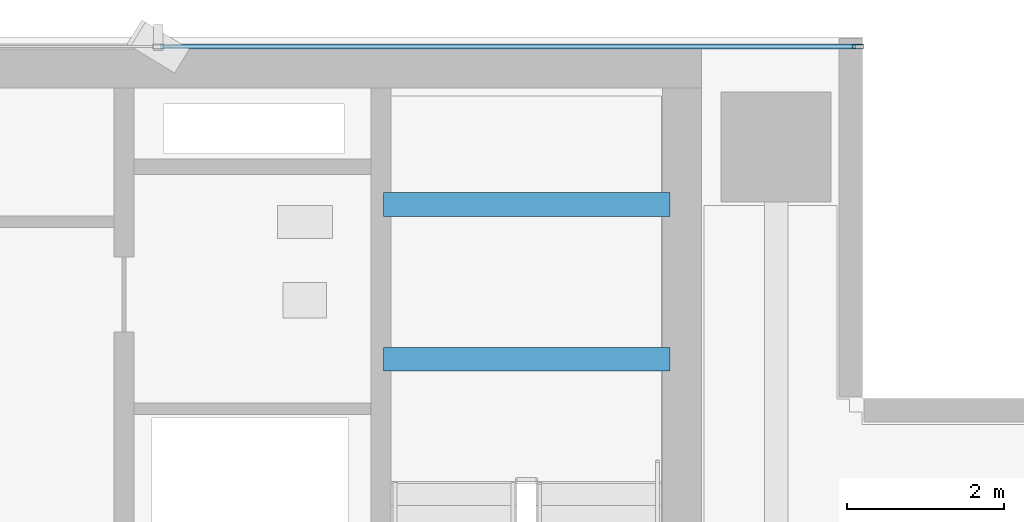
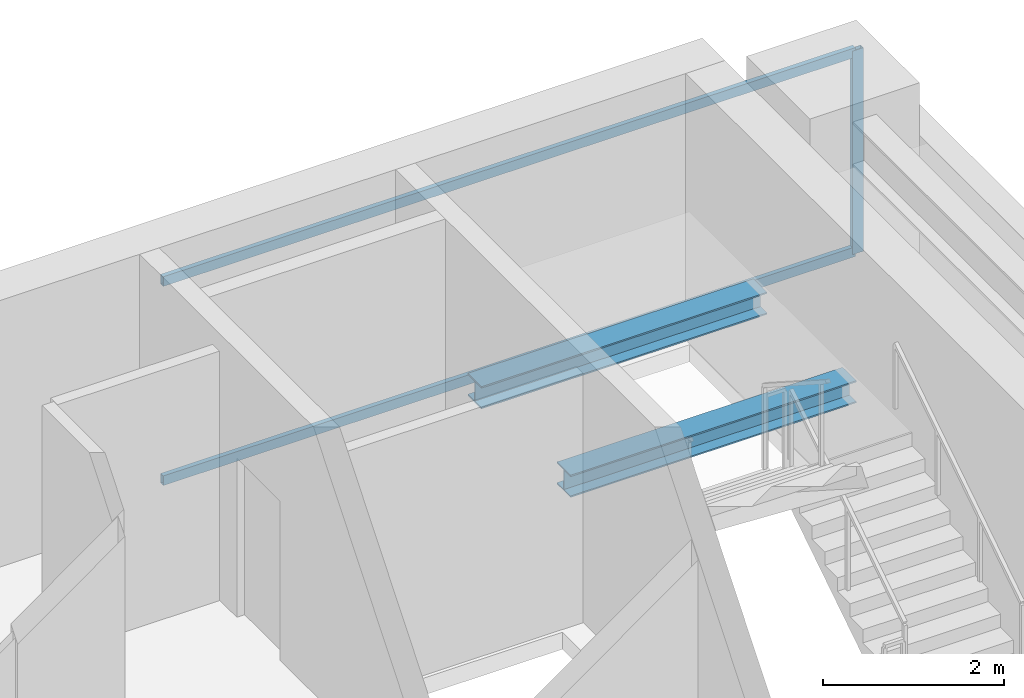
# One storey, part 18 of 27: 3 members, 2 beams, 1 element without a shape of its own.
"""IFC4 building model written with IfcOpenShell, lengths in metres."""

import ifcopenshell
import ifcopenshell.guid

model = None  # the IFC model being written
_history = None  # IfcOwnerHistory: only IFC2X3 demands one
_inside = {}  # id of a spatial element -> (the spatial element, [elements in it])
_under = {}  # id of a project, library or spatial element -> (it, [spatial elements below it])
_declared = {}  # id of a project -> (the project, [libraries it declares])
_typed = {}  # id of a type object -> (the type object, [elements of that type])
_made_of = {}  # id of a material, layer set ... -> (it, [elements and type objects made of it])


def new_model(schema):
    """Start an empty IFC model of exactly this schema.

    Asked for "IFC4X3", IfcOpenShell would pick the latest addendum, in which some entities
    have other attributes; the version numbers below select the first issue.
    IFC2X3 requires an IfcOwnerHistory on every rooted entity: one is made here for all.
    """
    global model, _history
    if schema == "IFC4X3":
        model = ifcopenshell.file(schema_version=(4, 3, 0, 0))
    else:
        model = ifcopenshell.file(schema=schema)
    _inside.clear()
    _under.clear()
    _declared.clear()
    _typed.clear()
    _made_of.clear()
    _history = None
    if model.schema == "IFC2X3":
        org = make("IfcOrganization", Name="unknown")
        user = make(
            "IfcPersonAndOrganization",
            ThePerson=make("IfcPerson", FamilyName="unknown"),
            TheOrganization=org,
        )
        app = make(
            "IfcApplication",
            ApplicationDeveloper=org,
            Version="unknown",
            ApplicationFullName="unknown",
            ApplicationIdentifier="unknown",
        )
        _history = make(
            "IfcOwnerHistory",
            OwningUser=user,
            OwningApplication=app,
            ChangeAction="ADDED",
            CreationDate=0,
        )
    return model


def make(cls, **values):
    """One entity of the class cls with the attributes given. An attribute that is None is left unset."""
    return model.create_entity(
        cls, **{name: value for name, value in values.items() if value is not None}
    )


def rooted(cls, **values):
    """An entity with a GlobalId (a new one), such as an element, a storey or a relation."""
    return make(cls, GlobalId=ifcopenshell.guid.new(), OwnerHistory=_history, **values)


def si_unit(unit_type, name, prefix=None):
    """IfcSIUnit, for example si_unit("LENGTHUNIT", "METRE", prefix="MILLI")."""
    return make("IfcSIUnit", UnitType=unit_type, Prefix=prefix, Name=name)


def assignment(units):
    """IfcUnitAssignment: the units of a project."""
    return None if units is None else make("IfcUnitAssignment", Units=units)


def point(xyz):
    """IfcCartesianPoint."""
    return None if xyz is None else make("IfcCartesianPoint", Coordinates=xyz)


def direction(xyz):
    """IfcDirection."""
    return None if xyz is None else make("IfcDirection", DirectionRatios=xyz)


def frame(location, z_axis=None, x_axis=None):
    """IfcAxis2Placement3D, a coordinate frame: its origin and axes. An axis left out is left unset."""
    return make(
        "IfcAxis2Placement3D",
        Location=point(location),
        Axis=direction(z_axis),
        RefDirection=direction(x_axis),
    )


def frame_2d(location, x_axis=None):
    """IfcAxis2Placement2D, a coordinate frame in the plane: its origin and x axis."""
    return make(
        "IfcAxis2Placement2D", Location=point(location), RefDirection=direction(x_axis)
    )


def origin():
    """The frame at (0, 0, 0) with its axes left unset."""
    return frame((0.0, 0.0, 0.0))


def origin_2d():
    """The frame at (0, 0) in the plane with its x axis left unset."""
    return frame_2d((0.0, 0.0))


def place(relative_to, where):
    """IfcLocalPlacement: puts the frame where relative to a parent placement (None: the world)."""
    return make(
        "IfcLocalPlacement", PlacementRelTo=relative_to, RelativePlacement=where
    )


def context(
    kind, dimensions, precision=None, world=None, true_north=None, identifier=None
):
    """IfcGeometricRepresentationContext, for example the 3D "Model" context."""
    return make(
        "IfcGeometricRepresentationContext",
        ContextIdentifier=identifier,
        ContextType=kind,
        CoordinateSpaceDimension=dimensions,
        Precision=precision,
        WorldCoordinateSystem=world,
        TrueNorth=true_north,
    )


def subcontext(parent, identifier, kind, view, scale=None):
    """IfcGeometricRepresentationSubContext, for example "Body" below "Model"."""
    return make(
        "IfcGeometricRepresentationSubContext",
        ContextIdentifier=identifier,
        ContextType=kind,
        ParentContext=parent,
        TargetScale=scale,
        TargetView=view,
    )


def project(units=None, contexts=None):
    """IfcProject with its units and contexts."""
    return rooted(
        "IfcProject",
        Name="project",
        RepresentationContexts=contexts,
        UnitsInContext=assignment(units),
    )


def spatial(cls, under=None, at=None, **own):
    """A site, building, storey or space (cls), placed at a placement, below another one or the project."""
    s = rooted(cls, ObjectPlacement=at, **own)
    if under is not None:
        _under.setdefault(under.id(), (under, []))[1].append(s)
    return s


def profile(cls, at=None, kind="AREA", **sizes):
    """A parametric profile (cls). Its sizes go by their IFC names, for example OverallWidth=200.0."""
    return make(cls, ProfileType=kind, Position=at, **sizes)


def hollow_rectangle(**sizes):
    """IfcRectangleHollowProfileDef."""
    return profile("IfcRectangleHollowProfileDef", **sizes)


def i_section(**sizes):
    """IfcIShapeProfileDef."""
    return profile("IfcIShapeProfileDef", **sizes)


def extrude(swept, where, along, depth):
    """IfcExtrudedAreaSolid: the profile swept, set in the frame where, extruded along a direction by depth."""
    return make(
        "IfcExtrudedAreaSolid",
        SweptArea=swept,
        Position=where,
        ExtrudedDirection=direction(along),
        Depth=depth,
    )


def shape(context_of_items, identifier, shape_type, items):
    """IfcShapeRepresentation: the items that make up one representation, for example the "Body"."""
    return make(
        "IfcShapeRepresentation",
        ContextOfItems=context_of_items,
        RepresentationIdentifier=identifier,
        RepresentationType=shape_type,
        Items=items,
    )


def source(mapping_origin, context_of_items, identifier, shape_type, items):
    """IfcRepresentationMap: a shape defined once, which mapped items show again and again."""
    return make(
        "IfcRepresentationMap",
        MappingOrigin=mapping_origin,
        MappedRepresentation=shape(context_of_items, identifier, shape_type, items),
    )


def transform(
    local_origin,
    x_axis=None,
    y_axis=None,
    z_axis=None,
    scale=None,
    scale2=None,
    scale3=None,
    uniform=True,
):
    """IfcCartesianTransformationOperator3D, or its non-uniform kind. x_axis, y_axis, z_axis: its Axis1, 2, 3."""
    if uniform:
        return make(
            "IfcCartesianTransformationOperator3D",
            Axis1=direction(x_axis),
            Axis2=direction(y_axis),
            LocalOrigin=point(local_origin),
            Scale=scale,
            Axis3=direction(z_axis),
        )
    return make(
        "IfcCartesianTransformationOperator3DnonUniform",
        Axis1=direction(x_axis),
        Axis2=direction(y_axis),
        LocalOrigin=point(local_origin),
        Scale=scale,
        Axis3=direction(z_axis),
        Scale2=scale2,
        Scale3=scale3,
    )


def mapped(mapping_source, mapping_target):
    """IfcMappedItem: shows the shape of a source again, moved by a transform."""
    return make(
        "IfcMappedItem", MappingSource=mapping_source, MappingTarget=mapping_target
    )


def material(Name=None, Category=None):
    """IfcMaterial."""
    return make("IfcMaterial", Name=Name, Category=Category)


def layer(
    of_material, thickness, ventilated=None, Name=None, Category=None, Priority=None
):
    """IfcMaterialLayer: one layer of a wall or slab, of a material (None: an air gap)."""
    return make(
        "IfcMaterialLayer",
        Material=of_material,
        LayerThickness=thickness,
        IsVentilated=ventilated,
        Name=Name,
        Category=Category,
        Priority=Priority,
    )


def layer_set(layers, Name=None):
    """IfcMaterialLayerSet."""
    return make("IfcMaterialLayerSet", MaterialLayers=layers, LayerSetName=Name)


def material_profile(
    of_material, cross_section, Name=None, Category=None, Priority=None
):
    """IfcMaterialProfile: a cross section and its material."""
    return make(
        "IfcMaterialProfile",
        Name=Name,
        Material=of_material,
        Profile=cross_section,
        Priority=Priority,
        Category=Category,
    )


def profile_set(profiles, Name=None, composite=None):
    """IfcMaterialProfileSet."""
    return make(
        "IfcMaterialProfileSet",
        Name=Name,
        MaterialProfiles=profiles,
        CompositeProfile=composite,
    )


def made_of(thing, what):
    """Note that an element or type object is made of a material, layer set ...; save() writes the relation."""
    if what is not None:
        _made_of.setdefault(what.id(), (what, []))[1].append(thing)
    return thing


def type_object(cls, material=None, **own):
    """A type object (cls), such as IfcWallType, which elements share."""
    return made_of(rooted(cls, **own), material)


def element(
    cls,
    number,
    at=None,
    inside=None,
    cuts=None,
    type_object=None,
    material=None,
    context=None,
    identifier="Body",
    shape_type=None,
    held_by="IfcProductDefinitionShape",
    body=None,
    shapes=None,
    **own,
):
    """One element of the class cls, such as IfcWall. Its Tag is "e" and its number.

    at: its placement. inside: the storey or other place that contains it. cuts: it is an
    opening in that element (IfcRelVoidsElement). A single representation is given by context,
    identifier, shape_type and body (its items); several are given by shapes. held_by: the class
    of the entity that holds the representations. save() writes the other relations.
    """
    e = rooted(cls, Tag="e%d" % number, ObjectPlacement=at, **own)
    if body is not None:
        shapes = [shape(context, identifier, shape_type, body)]
    if shapes is not None:
        e.Representation = make(held_by, Representations=shapes)
    if inside is not None:
        _inside.setdefault(inside.id(), (inside, []))[1].append(e)
    if cuts is not None:
        rooted(
            "IfcRelVoidsElement", RelatingBuildingElement=cuts, RelatedOpeningElement=e
        )
    if type_object is not None:
        _typed.setdefault(type_object.id(), (type_object, []))[1].append(e)
    return made_of(e, material)


def aggregate(whole, parts):
    """IfcRelAggregates: a whole, such as a stair, and the parts it consists of."""
    return rooted("IfcRelAggregates", RelatingObject=whole, RelatedObjects=parts)


def save(model, path):
    """Write the relations noted so far, then the file.

    IfcRelAggregates (storeys below a building ...), IfcRelContainedInSpatialStructure (elements
    in a storey), IfcRelDefinesByType, IfcRelAssociatesMaterial and IfcRelDeclares: one each for
    every whole, place, type object, material and project.
    """
    for whole, parts in _under.values():
        aggregate(whole, parts)
    for where, things in _inside.values():
        rooted(
            "IfcRelContainedInSpatialStructure",
            RelatedElements=things,
            RelatingStructure=where,
        )
    for kind, things in _typed.values():
        rooted("IfcRelDefinesByType", RelatedObjects=things, RelatingType=kind)
    for what, things in _made_of.values():
        rooted("IfcRelAssociatesMaterial", RelatedObjects=things, RelatingMaterial=what)
    for by, libraries in _declared.values():
        rooted("IfcRelDeclares", RelatingContext=by, RelatedDefinitions=libraries)
    model.write(path)


model = new_model("IFC4")

# Units and contexts
model_context = context("Model", 3, precision=1e-05, world=origin(), true_north=direction((0.0, 1.0)))
body_context = subcontext(model_context, "Body", "Model", "MODEL_VIEW")
ifc_project = project(units=[si_unit("LENGTHUNIT", "METRE"), si_unit("AREAUNIT", "SQUARE_METRE"), si_unit("VOLUMEUNIT", "CUBIC_METRE"), si_unit("PLANEANGLEUNIT", "RADIAN"), si_unit("MASSUNIT", "GRAM", prefix="KILO")], contexts=[model_context])

# Site, building, storey
site_placement = place(None, origin())
site = spatial("IfcSite", under=ifc_project, at=site_placement, CompositionType="ELEMENT")
building_placement = place(site_placement, origin())
building = spatial("IfcBuilding", under=site, at=building_placement, Name="Sumidabori Civic Tower", CompositionType="ELEMENT")
storey_placement = place(building_placement, frame((0.0, 0.0, 257.60009765625)))
storey = spatial("IfcBuildingStorey", under=building, at=storey_placement, Name="L67", CompositionType="ELEMENT", Elevation=257.60009765625)

# Beams
ifc_material_1 = material(Name="Steel SN490", Category="steel")
ifc_material_profile_1 = material_profile(ifc_material_1, i_section(OverallWidth=0.300048828125, OverallDepth=0.300048828125, WebThickness=0.010986328125, FlangeThickness=0.01904296875, at=origin_2d()), Name="HE 300 B")
ifc_profile_set_1 = profile_set([ifc_material_profile_1], Name="Steel SN490")
beam_type = type_object("IfcBeamType", Name="BM-LDG-300", PredefinedType="BEAM", material=ifc_profile_set_1)
shared_shape_1 = source(origin(), body_context, "Body", "SweptSolid", [
    extrude(i_section(OverallWidth=0.300048828125, OverallDepth=0.300048828125, WebThickness=0.010986328125, FlangeThickness=0.01904296875, at=origin_2d()), origin(), (0.0, 0.0, 1.0), 3.64990234375),
])
for number, where, z_axis, x_axis, name in (
    (1, (11.800048828125, 20.09765625, 1.449951171875), (1.0, 0.0, 0.0), (0.0, 1.0, 0.0), "Stair ST-2 Landing Support Beam L67-1A"),
    (2, (11.800048828125, 22.069580078125, 1.449951171875), (1.0, 0.0, 0.0), (0.0, 1.0, 0.0), "Stair ST-2 Landing Trimmer Beam L67-1B"),
):
    element("IfcBeam", number, at=place(storey_placement, frame(where, z_axis=z_axis, x_axis=x_axis)), inside=storey, type_object=beam_type, Name=name, PredefinedType="BEAM", context=body_context, shape_type="MappedRepresentation", body=[
        mapped(shared_shape_1, transform((0.0, 0.0, 0.0), x_axis=(1.0, 0.0, 0.0), y_axis=(0.0, 1.0, 0.0), z_axis=(0.0, 0.0, 1.0), scale=1.0)),
    ])

# Curtain wall, members
ifc_material_2 = material(Name="Anodised Bronze Aluminium AW-6063-T6", Category="aluminium")
ifc_layer = layer(ifc_material_2, 0.179931640625, Name="Anodised Bronze Aluminium AW-6063-T6")
ifc_layer_set = layer_set([ifc_layer], Name="Anodised Bronze Aluminium AW-6063-T6")
curtain_wall_type = type_object("IfcCurtainWallType", Name="CW-SYS-5", PredefinedType="NOTDEFINED", material=ifc_layer_set)
curtain_wall_placement = place(storey_placement, origin())
curtain_wall = element("IfcCurtainWall", 3, at=curtain_wall_placement, inside=storey, type_object=curtain_wall_type, Name="Curtain Wall CW:L67:R07", PredefinedType="NOTDEFINED")
ifc_material_profile_2 = material_profile(ifc_material_2, hollow_rectangle(XDim=0.06005859375, YDim=0.139892578125, WallThickness=0.0048828125, at=origin_2d()), Name="ALU MULLION 140x60")
ifc_profile_set_2 = profile_set([ifc_material_profile_2], Name="Anodised Bronze Aluminium AW-6063-T6")
member_type_1 = type_object("IfcMemberType", Name="CW-MUL-140", PredefinedType="MULLION", material=ifc_profile_set_2)
shared_shape_2 = source(origin(), body_context, "Body", "SweptSolid", [
    extrude(hollow_rectangle(XDim=0.06005859375, YDim=0.139892578125, WallThickness=0.0048828125, at=origin_2d()), origin(), (0.0, 0.0, 1.0), 2.75),
])
member_1_placement = place(storey_placement, frame((17.840087890625, 24.080078125, 0.0), z_axis=(0.0, 0.0, 1.0), x_axis=(0.0, -1.0, 0.0)))
member_1 = element("IfcMember", 4, at=member_1_placement, type_object=member_type_1, Name="CW-5 mullion 1", PredefinedType="MULLION", context=body_context, shape_type="MappedRepresentation", body=[
    mapped(shared_shape_2, transform((0.0, 0.0, 0.0), x_axis=(1.0, 0.0, 0.0), y_axis=(0.0, 1.0, 0.0), z_axis=(0.0, 0.0, 1.0), scale=1.0)),
])
ifc_material_profile_3 = material_profile(ifc_material_2, hollow_rectangle(XDim=0.06005859375, YDim=0.1298828125, WallThickness=0.0048828125, at=origin_2d()), Name="ALU TRANSOM 130x60")
ifc_profile_set_3 = profile_set([ifc_material_profile_3], Name="Anodised Bronze Aluminium AW-6063-T6")
member_type_2 = type_object("IfcMemberType", Name="CW-TRN-130", PredefinedType="USERDEFINED", material=ifc_profile_set_3)
shared_shape_3 = source(origin(), body_context, "Body", "SweptSolid", [
    extrude(hollow_rectangle(XDim=0.06005859375, YDim=0.1298828125, WallThickness=0.0048828125, at=origin_2d()), origin(), (0.0, 0.0, 1.0), 8.844970703125),
])
member_2_placement = place(storey_placement, frame((17.81005859375, 24.080078125, 0.02978515625), z_axis=(-1.0, 0.0, 0.0), x_axis=(0.0, -1.0, 0.0)))
member_2 = element("IfcMember", 5, at=member_2_placement, type_object=member_type_2, Name="CW-5 transom 1.1", ObjectType="TRANSOM", PredefinedType="USERDEFINED", context=body_context, shape_type="MappedRepresentation", body=[
    mapped(shared_shape_3, transform((0.0, 0.0, 0.0), x_axis=(1.0, 0.0, 0.0), y_axis=(0.0, 1.0, 0.0), z_axis=(0.0, 0.0, 1.0), scale=1.0)),
])
member_3_placement = place(storey_placement, frame((17.81005859375, 24.080078125, 2.719970703125), z_axis=(-1.0, 0.0, 0.0), x_axis=(0.0, -1.0, 0.0)))
member_3 = element("IfcMember", 6, at=member_3_placement, type_object=member_type_2, Name="CW-5 transom 1.2", ObjectType="TRANSOM", PredefinedType="USERDEFINED", context=body_context, shape_type="MappedRepresentation", body=[
    mapped(shared_shape_3, transform((0.0, 0.0, 0.0), x_axis=(1.0, 0.0, 0.0), y_axis=(0.0, 1.0, 0.0), z_axis=(0.0, 0.0, 1.0), scale=1.0)),
])
aggregate(curtain_wall, [member_1, member_2, member_3])

save(model, "model.ifc")
